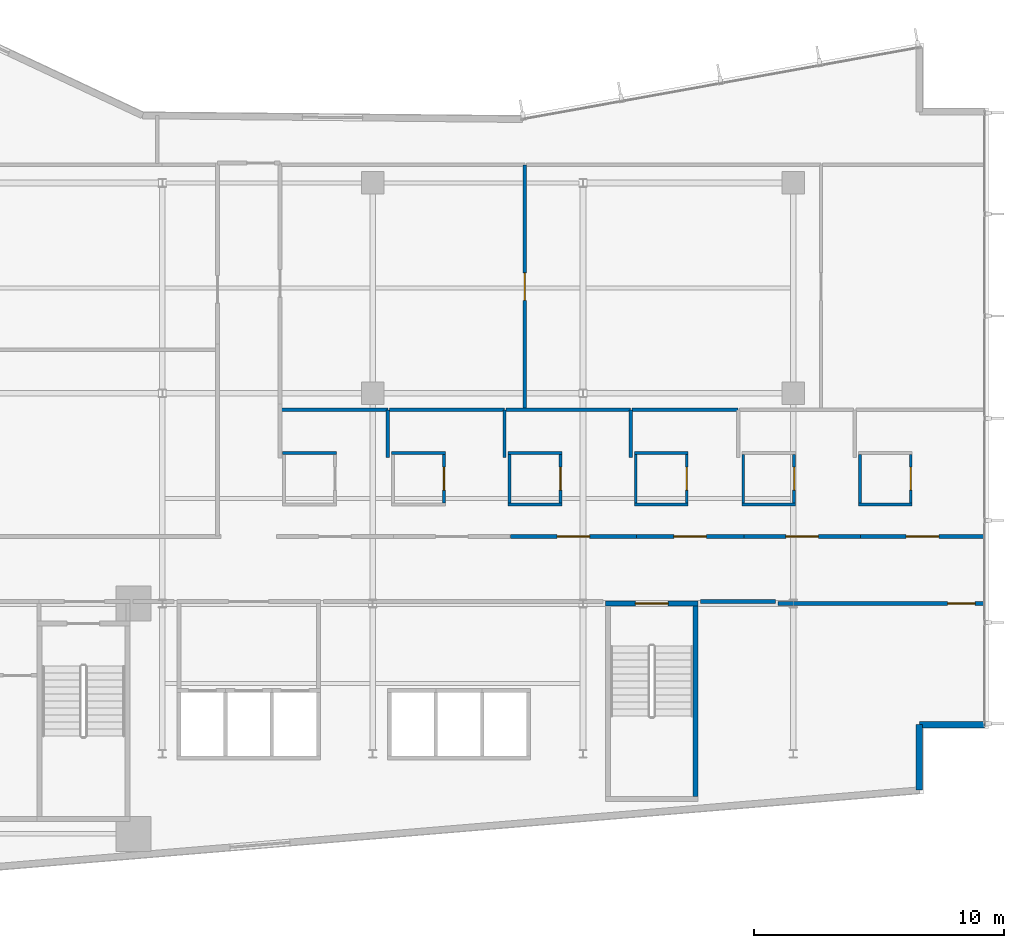
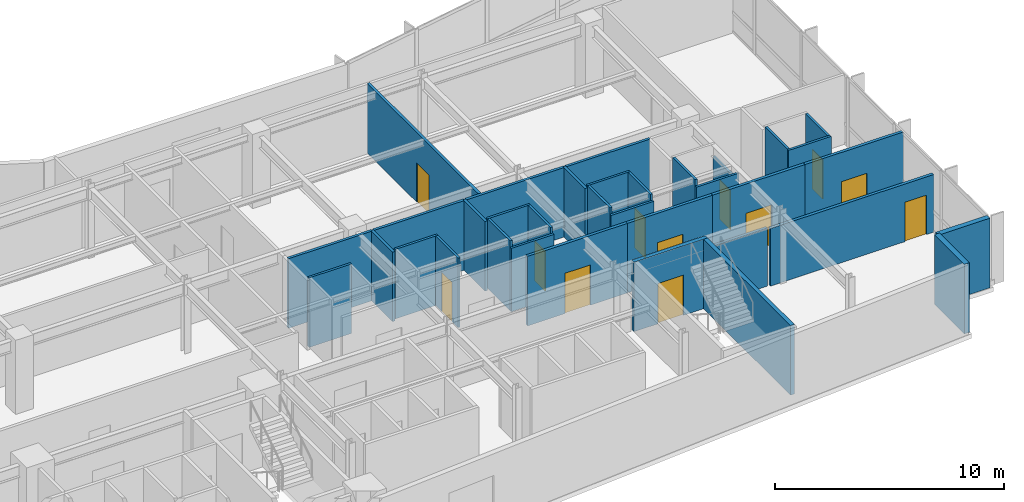
# One storey, part 14 of 19: 35 walls, 12 doors, 12 openings.
"""IFC4 building model written with IfcOpenShell, lengths in metres."""

from ifc_helpers import new_model, si_unit, direction, frame, frame_2d, origin, place, context, subcontext, project, spatial, rectangle, extrude, material, layer, layer_set, type_object, element, fill, save


model = new_model("IFC4")

# Units and contexts
model_context = context("Model", 3, precision=1e-05, world=origin(), true_north=direction((0.0, 1.0)))
body_context = subcontext(model_context, "Body", "Model", "MODEL_VIEW")
ifc_project = project(units=[si_unit("LENGTHUNIT", "METRE"), si_unit("AREAUNIT", "SQUARE_METRE"), si_unit("VOLUMEUNIT", "CUBIC_METRE"), si_unit("PLANEANGLEUNIT", "RADIAN"), si_unit("MASSUNIT", "GRAM", prefix="KILO")], contexts=[model_context])

# Site, building, storey
site_placement = place(None, origin())
site = spatial("IfcSite", under=ifc_project, at=site_placement, CompositionType="ELEMENT")
building_placement = place(site_placement, origin())
building = spatial("IfcBuilding", under=site, at=building_placement, Name="Varnakote Quay Hospital", CompositionType="ELEMENT")
storey_placement = place(building_placement, frame((0.0, 0.0, 85.699951171875)))
storey = spatial("IfcBuildingStorey", under=building, at=storey_placement, Name="L21", CompositionType="ELEMENT", Elevation=85.699951171875)

# Walls
ifc_material_1 = material(Name="Fire-rated acoustic gypsum stud wall", Category="gypsum")
ifc_layer_1 = layer(ifc_material_1, 0.159912109375)
ifc_layer_set_1 = layer_set([ifc_layer_1], Name="Fire-rated acoustic gypsum stud wall")
wall_type_1 = type_object("IfcWallType", Name="WL-COMP-160", PredefinedType="PARTITIONING", material=ifc_layer_set_1)
wall_1_placement = place(storey_placement, frame((46.689208984375, 12.080078125, 0.0), z_axis=(0.0, 0.0, 1.0), x_axis=(1.0, 0.0, 0.0)))
element("IfcWall", 1, at=wall_1_placement, inside=storey, type_object=wall_type_1, Name="L21 Corridor South Gap Wall", PredefinedType="PARTITIONING", context=body_context, shape_type="SweptSolid", body=[
    extrude(rectangle(XDim=3.0107421875, YDim=0.159912109375, at=frame_2d((1.50537109375, 0.0))), origin(), (0.0, 0.0, 1.0), 3.072998046875),
])
ifc_material_2 = material(Name="Moisture-resistant bathroom partition", Category="gypsum")
ifc_layer_2 = layer(ifc_material_2, 0.114990234375)
ifc_layer_set_2 = layer_set([ifc_layer_2], Name="Moisture-resistant bathroom partition")
wall_type_2 = type_object("IfcWallType", Name="WL-ENS-115", PredefinedType="PARTITIONING", material=ifc_layer_set_2)
wall_2_placement = place(storey_placement, frame((30.0048828125, 18.017578125, 0.0), z_axis=(0.0, 0.0, 1.0), x_axis=(1.0, 0.0, 0.0)))
element("IfcWall", 2, at=wall_2_placement, inside=storey, type_object=wall_type_2, Name="L21 Inpatient En-Suite Bathroom 01 N Wall", PredefinedType="PARTITIONING", context=body_context, shape_type="SweptSolid", body=[
    extrude(rectangle(XDim=2.150146484375, YDim=0.114990234375, at=frame_2d((1.0751953125, 0.0))), origin(), (0.0, 0.0, 1.0), 3.7099609375),
])
wall_3_placement = place(storey_placement, frame((34.35498046875, 18.017578125, 0.0), z_axis=(0.0, 0.0, 1.0), x_axis=(1.0, 0.0, 0.0)))
element("IfcWall", 3, at=wall_3_placement, inside=storey, type_object=wall_type_2, Name="L21 Inpatient En-Suite Bathroom 02 N Wall", PredefinedType="PARTITIONING", context=body_context, shape_type="SweptSolid", body=[
    extrude(rectangle(XDim=2.14990234375, YDim=0.114990234375, at=frame_2d((1.074951171875, 0.0))), origin(), (0.0, 0.0, 1.0), 3.7099609375),
])

# Wall, opening, door
wall_4_placement = place(storey_placement, frame((36.447509765625, 16.010009765625, 0.0), z_axis=(0.0, 0.0, 1.0), x_axis=(0.0, 1.0, 0.0)))
wall_4 = element("IfcWall", 4, at=wall_4_placement, inside=storey, type_object=wall_type_2, Name="L21 Inpatient En-Suite Bathroom 02 E Wall", PredefinedType="PARTITIONING", context=body_context, shape_type="SweptSolid", body=[
    extrude(rectangle(XDim=1.949951171875, YDim=0.114990234375, at=frame_2d((0.97509765625, 0.0))), origin(), (0.0, 0.0, 1.0), 3.7099609375),
])
opening_1_placement = place(wall_4_placement, frame((0.514892578125, 0.0, 0.0)))
opening_1 = element("IfcOpeningElement", 5, at=opening_1_placement, cuts=wall_4, Name="Opening D-L21-ENS02", PredefinedType="OPENING", context=body_context, shape_type="SweptSolid", body=[
    extrude(rectangle(XDim=0.919921875, YDim=2.10009765625, at=frame_2d((0.4599609375, 1.050048828125))), frame((0.0, 0.0673828125, 0.0), z_axis=(0.0, -1.0, 0.0), x_axis=(1.0, 0.0, 0.0)), (0.0, 0.0, 1.0), 0.135009765625),
])
ifc_material_3 = material(Name="Moisture-sealed en-suite bathroom door")
door_type_1 = type_object("IfcDoorType", Name="DR-ENS-920x2100", OperationType="NOTDEFINED", PredefinedType="DOOR", material=ifc_material_3)
door_1_placement = place(opening_1_placement, origin())
door_1 = element("IfcDoor", 6, at=door_1_placement, inside=storey, type_object=door_type_1, Name="L21 Inpatient En-Suite Bathroom 02 Door", OperationType="SINGLE_SWING_RIGHT", OverallHeight=2.10009765625, OverallWidth=0.919921875, PredefinedType="DOOR", context=body_context, shape_type="SweptSolid", body=[
    extrude(rectangle(XDim=0.919921875, YDim=2.10009765625, at=frame_2d((0.4599609375, 1.050048828125))), frame((0.0, 0.02490234375, 0.0), z_axis=(0.0, -1.0, 0.0), x_axis=(1.0, 0.0, 0.0)), (0.0, 0.0, 1.0), 0.050048828125),
])
fill(opening_1, door_1)

# Walls
wall_5_placement = place(storey_placement, frame((39.014892578125, 15.952392578125, 0.0), z_axis=(0.0, 0.0, 1.0), x_axis=(1.0, 0.0, 0.0)))
element("IfcWall", 7, at=wall_5_placement, inside=storey, type_object=wall_type_2, Name="L21 Inpatient En-Suite Bathroom 03 S Wall", PredefinedType="PARTITIONING", context=body_context, shape_type="SweptSolid", body=[
    extrude(rectangle(XDim=2.150146484375, YDim=0.114990234375, at=frame_2d((1.0751953125, 0.0))), origin(), (0.0, 0.0, 1.0), 3.3779296875),
])
wall_6_placement = place(storey_placement, frame((39.014892578125, 18.017578125, 0.0), z_axis=(0.0, 0.0, 1.0), x_axis=(1.0, 0.0, 0.0)))
element("IfcWall", 8, at=wall_6_placement, inside=storey, type_object=wall_type_2, Name="L21 Inpatient En-Suite Bathroom 03 N Wall", PredefinedType="PARTITIONING", context=body_context, shape_type="SweptSolid", body=[
    extrude(rectangle(XDim=2.150146484375, YDim=0.114990234375, at=frame_2d((1.0751953125, 0.0))), origin(), (0.0, 0.0, 1.0), 3.7099609375),
])
wall_7_placement = place(storey_placement, frame((39.072509765625, 16.010009765625, 0.0), z_axis=(0.0, 0.0, 1.0), x_axis=(0.0, 1.0, 0.0)))
element("IfcWall", 9, at=wall_7_placement, inside=storey, type_object=wall_type_2, Name="L21 Inpatient En-Suite Bathroom 03 W Wall", PredefinedType="PARTITIONING", context=body_context, shape_type="SweptSolid", body=[
    extrude(rectangle(XDim=1.949951171875, YDim=0.114990234375, at=frame_2d((0.97509765625, 0.0))), origin(), (0.0, 0.0, 1.0), 3.7099609375),
])

# Wall, opening, door
wall_8_placement = place(storey_placement, frame((41.107421875, 16.010009765625, 0.0), z_axis=(0.0, 0.0, 1.0), x_axis=(0.0, 1.0, 0.0)))
wall_8 = element("IfcWall", 10, at=wall_8_placement, inside=storey, type_object=wall_type_2, Name="L21 Inpatient En-Suite Bathroom 03 E Wall", PredefinedType="PARTITIONING", context=body_context, shape_type="SweptSolid", body=[
    extrude(rectangle(XDim=1.949951171875, YDim=0.114990234375, at=frame_2d((0.97509765625, 0.0))), origin(), (0.0, 0.0, 1.0), 3.7099609375),
])
opening_2_placement = place(wall_8_placement, frame((0.514892578125, 0.0, 0.0)))
opening_2 = element("IfcOpeningElement", 11, at=opening_2_placement, cuts=wall_8, Name="Opening D-L21-ENS03", PredefinedType="OPENING", context=body_context, shape_type="SweptSolid", body=[
    extrude(rectangle(XDim=0.919921875, YDim=2.10009765625, at=frame_2d((0.4599609375, 1.050048828125))), frame((0.0, 0.0673828125, 0.0), z_axis=(0.0, -1.0, 0.0), x_axis=(1.0, 0.0, 0.0)), (0.0, 0.0, 1.0), 0.135009765625),
])
door_2_placement = place(opening_2_placement, origin())
door_2 = element("IfcDoor", 12, at=door_2_placement, inside=storey, type_object=door_type_1, Name="L21 Inpatient En-Suite Bathroom 03 Door", OperationType="SINGLE_SWING_LEFT", OverallHeight=2.10009765625, OverallWidth=0.919921875, PredefinedType="DOOR", context=body_context, shape_type="SweptSolid", body=[
    extrude(rectangle(XDim=0.919921875, YDim=2.10009765625, at=frame_2d((0.4599609375, 1.050048828125))), frame((0.0, 0.02490234375, 0.0), z_axis=(0.0, -1.0, 0.0), x_axis=(1.0, 0.0, 0.0)), (0.0, 0.0, 1.0), 0.050048828125),
])
fill(opening_2, door_2)

# Walls
wall_9_placement = place(storey_placement, frame((44.054931640625, 15.952392578125, 0.0), z_axis=(0.0, 0.0, 1.0), x_axis=(1.0, 0.0, 0.0)))
element("IfcWall", 13, at=wall_9_placement, inside=storey, type_object=wall_type_2, Name="L21 Inpatient En-Suite Bathroom 04 S Wall", PredefinedType="PARTITIONING", context=body_context, shape_type="SweptSolid", body=[
    extrude(rectangle(XDim=2.150146484375, YDim=0.114990234375, at=frame_2d((1.0751953125, 0.0))), origin(), (0.0, 0.0, 1.0), 3.3779296875),
])
wall_10_placement = place(storey_placement, frame((44.054931640625, 18.017578125, 0.0), z_axis=(0.0, 0.0, 1.0), x_axis=(1.0, 0.0, 0.0)))
element("IfcWall", 14, at=wall_10_placement, inside=storey, type_object=wall_type_2, Name="L21 Inpatient En-Suite Bathroom 04 N Wall", PredefinedType="PARTITIONING", context=body_context, shape_type="SweptSolid", body=[
    extrude(rectangle(XDim=2.150146484375, YDim=0.114990234375, at=frame_2d((1.0751953125, 0.0))), origin(), (0.0, 0.0, 1.0), 3.7099609375),
])
wall_11_placement = place(storey_placement, frame((44.112548828125, 16.010009765625, 0.0), z_axis=(0.0, 0.0, 1.0), x_axis=(0.0, 1.0, 0.0)))
element("IfcWall", 15, at=wall_11_placement, inside=storey, type_object=wall_type_2, Name="L21 Inpatient En-Suite Bathroom 04 W Wall", PredefinedType="PARTITIONING", context=body_context, shape_type="SweptSolid", body=[
    extrude(rectangle(XDim=1.949951171875, YDim=0.114990234375, at=frame_2d((0.97509765625, 0.0))), origin(), (0.0, 0.0, 1.0), 3.7099609375),
])

# Wall, opening, door
wall_12_placement = place(storey_placement, frame((46.1474609375, 16.010009765625, 0.0), z_axis=(0.0, 0.0, 1.0), x_axis=(0.0, 1.0, 0.0)))
wall_12 = element("IfcWall", 16, at=wall_12_placement, inside=storey, type_object=wall_type_2, Name="L21 Inpatient En-Suite Bathroom 04 E Wall", PredefinedType="PARTITIONING", context=body_context, shape_type="SweptSolid", body=[
    extrude(rectangle(XDim=1.949951171875, YDim=0.114990234375, at=frame_2d((0.97509765625, 0.0))), origin(), (0.0, 0.0, 1.0), 3.7099609375),
])
opening_3_placement = place(wall_12_placement, frame((0.514892578125, 0.0, 0.0)))
opening_3 = element("IfcOpeningElement", 17, at=opening_3_placement, cuts=wall_12, Name="Opening D-L21-ENS04", PredefinedType="OPENING", context=body_context, shape_type="SweptSolid", body=[
    extrude(rectangle(XDim=0.919921875, YDim=2.10009765625, at=frame_2d((0.4599609375, 1.050048828125))), frame((0.0, 0.0673828125, 0.0), z_axis=(0.0, -1.0, 0.0), x_axis=(1.0, 0.0, 0.0)), (0.0, 0.0, 1.0), 0.135009765625),
])
door_3_placement = place(opening_3_placement, origin())
door_3 = element("IfcDoor", 18, at=door_3_placement, inside=storey, type_object=door_type_1, Name="L21 Inpatient En-Suite Bathroom 04 Door", OperationType="SINGLE_SWING_RIGHT", OverallHeight=2.10009765625, OverallWidth=0.919921875, PredefinedType="DOOR", context=body_context, shape_type="SweptSolid", body=[
    extrude(rectangle(XDim=0.919921875, YDim=2.10009765625, at=frame_2d((0.4599609375, 1.050048828125))), frame((0.0, 0.02490234375, 0.0), z_axis=(0.0, -1.0, 0.0), x_axis=(1.0, 0.0, 0.0)), (0.0, 0.0, 1.0), 0.050048828125),
])
fill(opening_3, door_3)

# Walls
wall_13_placement = place(storey_placement, frame((48.344970703125, 15.952392578125, 0.0), z_axis=(0.0, 0.0, 1.0), x_axis=(1.0, 0.0, 0.0)))
element("IfcWall", 19, at=wall_13_placement, inside=storey, type_object=wall_type_2, Name="L21 Inpatient En-Suite Bathroom 05 S Wall", PredefinedType="PARTITIONING", context=body_context, shape_type="SweptSolid", body=[
    extrude(rectangle(XDim=2.150146484375, YDim=0.114990234375, at=frame_2d((1.0751953125, 0.0))), origin(), (0.0, 0.0, 1.0), 3.3779296875),
])
wall_14_placement = place(storey_placement, frame((48.402587890625, 16.010009765625, 0.0), z_axis=(0.0, 0.0, 1.0), x_axis=(0.0, 1.0, 0.0)))
element("IfcWall", 20, at=wall_14_placement, inside=storey, type_object=wall_type_2, Name="L21 Inpatient En-Suite Bathroom 05 W Wall", PredefinedType="PARTITIONING", context=body_context, shape_type="SweptSolid", body=[
    extrude(rectangle(XDim=1.949951171875, YDim=0.114990234375, at=frame_2d((0.97509765625, 0.0))), origin(), (0.0, 0.0, 1.0), 3.7099609375),
])

# Wall, opening, door
wall_15_placement = place(storey_placement, frame((50.4375, 16.010009765625, 0.0), z_axis=(0.0, 0.0, 1.0), x_axis=(0.0, 1.0, 0.0)))
wall_15 = element("IfcWall", 21, at=wall_15_placement, inside=storey, type_object=wall_type_2, Name="L21 Inpatient En-Suite Bathroom 05 E Wall", PredefinedType="PARTITIONING", context=body_context, shape_type="SweptSolid", body=[
    extrude(rectangle(XDim=1.949951171875, YDim=0.114990234375, at=frame_2d((0.97509765625, 0.0))), origin(), (0.0, 0.0, 1.0), 3.072998046875),
])
opening_4_placement = place(wall_15_placement, frame((0.514892578125, 0.0, 0.0)))
opening_4 = element("IfcOpeningElement", 22, at=opening_4_placement, cuts=wall_15, Name="Opening D-L21-ENS05", PredefinedType="OPENING", context=body_context, shape_type="SweptSolid", body=[
    extrude(rectangle(XDim=0.919921875, YDim=2.10009765625, at=frame_2d((0.4599609375, 1.050048828125))), frame((0.0, 0.0673828125, 0.0), z_axis=(0.0, -1.0, 0.0), x_axis=(1.0, 0.0, 0.0)), (0.0, 0.0, 1.0), 0.135009765625),
])
door_4_placement = place(opening_4_placement, origin())
door_4 = element("IfcDoor", 23, at=door_4_placement, inside=storey, type_object=door_type_1, Name="L21 Inpatient En-Suite Bathroom 05 Door", OperationType="SINGLE_SWING_LEFT", OverallHeight=2.10009765625, OverallWidth=0.919921875, PredefinedType="DOOR", context=body_context, shape_type="SweptSolid", body=[
    extrude(rectangle(XDim=0.919921875, YDim=2.10009765625, at=frame_2d((0.4599609375, 1.050048828125))), frame((0.0, 0.02490234375, 0.0), z_axis=(0.0, -1.0, 0.0), x_axis=(1.0, 0.0, 0.0)), (0.0, 0.0, 1.0), 0.050048828125),
])
fill(opening_4, door_4)

# Walls
wall_16_placement = place(storey_placement, frame((53.0048828125, 15.952392578125, 0.0), z_axis=(0.0, 0.0, 1.0), x_axis=(1.0, 0.0, 0.0)))
element("IfcWall", 24, at=wall_16_placement, inside=storey, type_object=wall_type_2, Name="L21 Inpatient En-Suite Bathroom 06 S Wall", PredefinedType="PARTITIONING", context=body_context, shape_type="SweptSolid", body=[
    extrude(rectangle(XDim=2.150146484375, YDim=0.114990234375, at=frame_2d((1.0751953125, 0.0))), origin(), (0.0, 0.0, 1.0), 3.7099609375),
])
wall_17_placement = place(storey_placement, frame((53.0625, 16.010009765625, 0.0), z_axis=(0.0, 0.0, 1.0), x_axis=(0.0, 1.0, 0.0)))
element("IfcWall", 25, at=wall_17_placement, inside=storey, type_object=wall_type_2, Name="L21 Inpatient En-Suite Bathroom 06 W Wall", PredefinedType="PARTITIONING", context=body_context, shape_type="SweptSolid", body=[
    extrude(rectangle(XDim=1.949951171875, YDim=0.114990234375, at=frame_2d((0.97509765625, 0.0))), origin(), (0.0, 0.0, 1.0), 3.7099609375),
])

# Wall, opening, door
wall_18_placement = place(storey_placement, frame((55.097412109375, 16.010009765625, 0.0), z_axis=(0.0, 0.0, 1.0), x_axis=(0.0, 1.0, 0.0)))
wall_18 = element("IfcWall", 26, at=wall_18_placement, inside=storey, type_object=wall_type_2, Name="L21 Inpatient En-Suite Bathroom 06 E Wall", PredefinedType="PARTITIONING", context=body_context, shape_type="SweptSolid", body=[
    extrude(rectangle(XDim=1.949951171875, YDim=0.114990234375, at=frame_2d((0.97509765625, 0.0))), origin(), (0.0, 0.0, 1.0), 3.7099609375),
])
opening_5_placement = place(wall_18_placement, frame((0.514892578125, 0.0, 0.0)))
opening_5 = element("IfcOpeningElement", 27, at=opening_5_placement, cuts=wall_18, Name="Opening D-L21-ENS06", PredefinedType="OPENING", context=body_context, shape_type="SweptSolid", body=[
    extrude(rectangle(XDim=0.919921875, YDim=2.10009765625, at=frame_2d((0.4599609375, 1.050048828125))), frame((0.0, 0.0673828125, 0.0), z_axis=(0.0, -1.0, 0.0), x_axis=(1.0, 0.0, 0.0)), (0.0, 0.0, 1.0), 0.135009765625),
])
door_5_placement = place(opening_5_placement, origin())
door_5 = element("IfcDoor", 28, at=door_5_placement, inside=storey, type_object=door_type_1, Name="L21 Inpatient En-Suite Bathroom 06 Door", OperationType="SINGLE_SWING_RIGHT", OverallHeight=2.10009765625, OverallWidth=0.919921875, PredefinedType="DOOR", context=body_context, shape_type="SweptSolid", body=[
    extrude(rectangle(XDim=0.919921875, YDim=2.10009765625, at=frame_2d((0.4599609375, 1.050048828125))), frame((0.0, 0.02490234375, 0.0), z_axis=(0.0, -1.0, 0.0), x_axis=(1.0, 0.0, 0.0)), (0.0, 0.0, 1.0), 0.050048828125),
])
fill(opening_5, door_5)

# Walls
ifc_material_4 = material(Name="Precast concrete N50 (f'c 50 MPa)", Category="concrete")
ifc_layer_3 = layer(ifc_material_4, 0.260009765625)
ifc_layer_set_3 = layer_set([ifc_layer_3], Name="Precast concrete N50 (f'c 50 MPa)")
wall_type_3 = type_object("IfcWallType", Name="WL-EXT-BRICK-260", PredefinedType="STANDARD", material=ifc_layer_set_3)
wall_19_placement = place(storey_placement, frame((55.43994140625, 4.54736328125, 0.0), z_axis=(0.0, 0.0, 1.0), x_axis=(0.0, 1.0, 0.0)))
element("IfcWall", 29, at=wall_19_placement, inside=storey, type_object=wall_type_3, Name="L21 Brick-Faced Precast Exterior Wall", PredefinedType="STANDARD", context=body_context, shape_type="SweptSolid", body=[
    extrude(rectangle(XDim=2.612548828125, YDim=0.260009765625, at=frame_2d((1.30615234375, 0.0))), origin(), (0.0, 0.0, 1.0), 3.7099609375),
])
wall_20_placement = place(storey_placement, frame((55.43994140625, 7.159912109375, 0.0), z_axis=(0.0, 0.0, 1.0), x_axis=(1.0, 0.0, 0.0)))
element("IfcWall", 30, at=wall_20_placement, inside=storey, type_object=wall_type_3, Name="L21 Brick-Faced Precast Exterior Wall", PredefinedType="STANDARD", context=body_context, shape_type="SweptSolid", body=[
    extrude(rectangle(XDim=2.60009765625, YDim=0.260009765625, at=frame_2d((1.300048828125, 0.0))), origin(), (0.0, 0.0, 1.0), 3.7099609375),
])
ifc_material_5 = material(Name="Concrete N50 (f'c 50 MPa)", Category="concrete")
ifc_layer_4 = layer(ifc_material_5, 0.199951171875)
ifc_layer_set_4 = layer_set([ifc_layer_4], Name="Concrete N50 (f'c 50 MPa)")
wall_type_4 = type_object("IfcWallType", Name="WL-SHAFT-N50-200", PredefinedType="SHEAR", material=ifc_layer_set_4)
wall_21_placement = place(storey_placement, frame((46.5, 4.300048828125, 0.0), z_axis=(0.0, 0.0, 1.0), x_axis=(0.0, 1.0, 0.0)))
element("IfcWall", 31, at=wall_21_placement, inside=storey, type_object=wall_type_4, Name="L21 Stair ST3 East Shaft Wall", PredefinedType="SHEAR", context=body_context, shape_type="SweptSolid", body=[
    extrude(rectangle(XDim=7.599853515625, YDim=0.199951171875, at=frame_2d((3.7998046875, 0.0))), origin(), (0.0, 0.0, 1.0), 3.7099609375),
])

# Wall, opening, door
wall_22_placement = place(storey_placement, frame((42.89990234375, 12.0, 0.0), z_axis=(0.0, 0.0, 1.0), x_axis=(1.0, 0.0, 0.0)))
wall_22 = element("IfcWall", 32, at=wall_22_placement, inside=storey, type_object=wall_type_4, Name="L21 Stair ST3 Exit Wall", PredefinedType="SHEAR", context=body_context, shape_type="SweptSolid", body=[
    extrude(rectangle(XDim=3.7001953125, YDim=0.199951171875, at=frame_2d((1.85009765625, 0.0))), origin(), (0.0, 0.0, 1.0), 3.7099609375),
])
opening_6_placement = place(wall_22_placement, frame((1.199951171875, 0.0, 0.0)))
opening_6 = element("IfcOpeningElement", 33, at=opening_6_placement, cuts=wall_22, Name="Opening D-ST3-L21", PredefinedType="OPENING", context=body_context, shape_type="SweptSolid", body=[
    extrude(rectangle(XDim=1.300048828125, YDim=2.14990234375, at=frame_2d((0.64990234375, 1.074951171875))), frame((0.0, 0.10986328125, 0.0), z_axis=(0.0, -1.0, 0.0), x_axis=(1.0, 0.0, 0.0)), (0.0, 0.0, 1.0), 0.219970703125),
])
ifc_material_6 = material(Name="Fire-rated ceramic-glazed timber exit door", Category="wood")
door_type_2 = type_object("IfcDoorType", Name="DR-STAIR-FD60S-1300x2150", OperationType="NOTDEFINED", PredefinedType="DOOR", material=ifc_material_6)
door_6_placement = place(opening_6_placement, origin())
door_6 = element("IfcDoor", 34, at=door_6_placement, inside=storey, type_object=door_type_2, Name="L21 Stair ST3 Fire Exit Door", OperationType="SINGLE_SWING_LEFT", OverallHeight=2.14990234375, OverallWidth=1.300048828125, PredefinedType="DOOR", context=body_context, shape_type="SweptSolid", body=[
    extrude(rectangle(XDim=1.300048828125, YDim=2.14990234375, at=frame_2d((0.64990234375, 1.074951171875))), frame((0.0, 0.02490234375, 0.0), z_axis=(0.0, -1.0, 0.0), x_axis=(1.0, 0.0, 0.0)), (0.0, 0.0, 1.0), 0.050048828125),
])
fill(opening_6, door_6)

# Walls
ifc_material_7 = material(Name="Smoke-proof clinical partition", Category="gypsum")
ifc_layer_5 = layer(ifc_material_7, 0.135009765625)
ifc_layer_set_5 = layer_set([ifc_layer_5], Name="Smoke-proof clinical partition")
wall_type_5 = type_object("IfcWallType", Name="WL-SMOKE-135", PredefinedType="PARTITIONING", material=ifc_layer_set_5)
wall_23_placement = place(storey_placement, frame((34.2099609375, 17.83251953125, 0.0), z_axis=(0.0, 0.0, 1.0), x_axis=(0.0, 1.0, 0.0)))
element("IfcWall", 35, at=wall_23_placement, inside=storey, type_object=wall_type_5, Name="L21 Clinical Interior Partition", PredefinedType="PARTITIONING", context=body_context, shape_type="SweptSolid", body=[
    extrude(rectangle(XDim=1.907470703125, YDim=0.135009765625, at=frame_2d((0.95361328125, 0.0))), origin(), (0.0, 0.0, 1.0), 3.7099609375),
])
wall_24_placement = place(storey_placement, frame((34.2099609375, 19.739990234375, 0.0), z_axis=(0.0, 0.0, 1.0), x_axis=(-1.0, 0.0, 0.0)))
element("IfcWall", 36, at=wall_24_placement, inside=storey, type_object=wall_type_5, Name="L21 Clinical Interior Partition", PredefinedType="PARTITIONING", context=body_context, shape_type="SweptSolid", body=[
    extrude(rectangle(XDim=4.244873046875, YDim=0.135009765625, at=frame_2d((2.12255859375, 0.0))), origin(), (0.0, 0.0, 1.0), 3.7099609375),
])
wall_25_placement = place(storey_placement, frame((38.8701171875, 17.83251953125, 0.0), z_axis=(0.0, 0.0, 1.0), x_axis=(0.0, 1.0, 0.0)))
element("IfcWall", 37, at=wall_25_placement, inside=storey, type_object=wall_type_5, Name="L21 Clinical Interior Partition", PredefinedType="PARTITIONING", context=body_context, shape_type="SweptSolid", body=[
    extrude(rectangle(XDim=1.907470703125, YDim=0.135009765625, at=frame_2d((0.95361328125, 0.0))), origin(), (0.0, 0.0, 1.0), 3.7099609375),
])
wall_26_placement = place(storey_placement, frame((38.8701171875, 19.739990234375, 0.0), z_axis=(0.0, 0.0, 1.0), x_axis=(-1.0, 0.0, 0.0)))
element("IfcWall", 38, at=wall_26_placement, inside=storey, type_object=wall_type_5, Name="L21 Clinical Interior Partition", PredefinedType="PARTITIONING", context=body_context, shape_type="SweptSolid", body=[
    extrude(rectangle(XDim=4.6025390625, YDim=0.135009765625, at=frame_2d((2.30126953125, 0.0))), origin(), (0.0, 0.0, 1.0), 3.7099609375),
])
wall_27_placement = place(storey_placement, frame((43.909912109375, 17.83251953125, 0.0), z_axis=(0.0, 0.0, 1.0), x_axis=(0.0, 1.0, 0.0)))
element("IfcWall", 39, at=wall_27_placement, inside=storey, type_object=wall_type_5, Name="L21 Clinical Interior Partition", PredefinedType="PARTITIONING", context=body_context, shape_type="SweptSolid", body=[
    extrude(rectangle(XDim=1.907470703125, YDim=0.135009765625, at=frame_2d((0.95361328125, 0.0))), origin(), (0.0, 0.0, 1.0), 3.7099609375),
])
wall_28_placement = place(storey_placement, frame((43.909912109375, 19.739990234375, 0.0), z_axis=(0.0, 0.0, 1.0), x_axis=(-1.0, 0.0, 0.0)))
element("IfcWall", 40, at=wall_28_placement, inside=storey, type_object=wall_type_5, Name="L21 Clinical Interior Partition", PredefinedType="PARTITIONING", context=body_context, shape_type="SweptSolid", body=[
    extrude(rectangle(XDim=4.982421875, YDim=0.135009765625, at=frame_2d((2.4912109375, 0.0))), origin(), (0.0, 0.0, 1.0), 3.7099609375),
])
wall_29_placement = place(storey_placement, frame((48.199951171875, 19.739990234375, 0.0), z_axis=(0.0, 0.0, 1.0), x_axis=(-1.0, 0.0, 0.0)))
element("IfcWall", 41, at=wall_29_placement, inside=storey, type_object=wall_type_5, Name="L21 Clinical Interior Partition", PredefinedType="PARTITIONING", context=body_context, shape_type="SweptSolid", body=[
    extrude(rectangle(XDim=4.232421875, YDim=0.135009765625, at=frame_2d((2.1162109375, 0.0))), origin(), (0.0, 0.0, 1.0), 3.7099609375),
])

# Wall, opening, door
wall_30_placement = place(storey_placement, frame((39.679931640625, 19.797607421875, 0.0), z_axis=(0.0, 0.0, 1.0), x_axis=(0.0, 1.0, 0.0)))
wall_30 = element("IfcWall", 42, at=wall_30_placement, inside=storey, type_object=wall_type_5, Name="L21 Clinical Interior Partition", PredefinedType="PARTITIONING", context=body_context, shape_type="SweptSolid", body=[
    extrude(rectangle(XDim=9.722412109375, YDim=0.135009765625, at=frame_2d((4.861328125, 0.0))), origin(), (0.0, 0.0, 1.0), 3.7099609375),
])
opening_7_placement = place(wall_30_placement, frame((4.311279296875, 0.0, 0.0)))
opening_7 = element("IfcOpeningElement", 43, at=opening_7_placement, cuts=wall_30, Name="Opening D-L21-MD04", PredefinedType="OPENING", context=body_context, shape_type="SweptSolid", body=[
    extrude(rectangle(XDim=1.10009765625, YDim=2.10009765625, at=frame_2d((0.550048828125, 1.050048828125))), frame((0.0, 0.077392578125, 0.0), z_axis=(0.0, -1.0, 0.0), x_axis=(1.0, 0.0, 0.0)), (0.0, 0.0, 1.0), 0.155029296875),
])
ifc_material_8 = material(Name="Acoustic timber clinical consult door", Category="wood")
door_type_3 = type_object("IfcDoorType", Name="DR-CLIN-FD30S-1100x2100", OperationType="NOTDEFINED", PredefinedType="DOOR", material=ifc_material_8)
door_7_placement = place(opening_7_placement, origin())
door_7 = element("IfcDoor", 44, at=door_7_placement, inside=storey, type_object=door_type_3, Name="L21 Allied Therapy Meeting Room Door", OperationType="SINGLE_SWING_LEFT", OverallHeight=2.10009765625, OverallWidth=1.10009765625, PredefinedType="DOOR", context=body_context, shape_type="SweptSolid", body=[
    extrude(rectangle(XDim=1.10009765625, YDim=2.10009765625, at=frame_2d((0.550048828125, 1.050048828125))), frame((0.0, 0.02490234375, 0.0), z_axis=(0.0, -1.0, 0.0), x_axis=(1.0, 0.0, 0.0)), (0.0, 0.0, 1.0), 0.050048828125),
])
fill(opening_7, door_7)

ifc_material_9 = material(Name="Fire-rated clinical gypsum partition", Category="gypsum")
ifc_layer_6 = layer(ifc_material_9, 0.14990234375)
ifc_layer_set_6 = layer_set([ifc_layer_6], Name="Fire-rated clinical gypsum partition")
wall_type_6 = type_object("IfcWallType", Name="WL-WARD-150", PredefinedType="PARTITIONING", material=ifc_layer_set_6)
wall_31_placement = place(storey_placement, frame((58.0400390625, 12.0, 0.0), z_axis=(0.0, 0.0, 1.0), x_axis=(-1.0, 0.0, 0.0)))
wall_31 = element("IfcWall", 45, at=wall_31_placement, inside=storey, type_object=wall_type_6, Name="L21 Clinical Interior Partition", PredefinedType="PARTITIONING", context=body_context, shape_type="SweptSolid", body=[
    extrude(rectangle(XDim=8.239990234375, YDim=0.14990234375, at=frame_2d((4.1201171875, 0.0))), origin(), (0.0, 0.0, 1.0), 3.072998046875),
])
opening_8_placement = place(wall_31_placement, frame((0.368408203125, 0.0, 0.0)))
opening_8 = element("IfcOpeningElement", 46, at=opening_8_placement, cuts=wall_31, Name="Opening D-L21-SE1", PredefinedType="OPENING", context=body_context, shape_type="SweptSolid", body=[
    extrude(rectangle(XDim=1.10009765625, YDim=2.10009765625, at=frame_2d((0.550048828125, 1.050048828125))), frame((0.0, 0.0849609375, 0.0), z_axis=(0.0, -1.0, 0.0), x_axis=(1.0, 0.0, 0.0)), (0.0, 0.0, 1.0), 0.169921875),
])
door_8_placement = place(opening_8_placement, origin())
door_8 = element("IfcDoor", 47, at=door_8_placement, inside=storey, type_object=door_type_3, Name="L21 Clinical Biomedical Engineering Office Door", OperationType="SINGLE_SWING_LEFT", OverallHeight=2.10009765625, OverallWidth=1.10009765625, PredefinedType="DOOR", context=body_context, shape_type="SweptSolid", body=[
    extrude(rectangle(XDim=1.10009765625, YDim=2.10009765625, at=frame_2d((0.550048828125, 1.050048828125))), frame((0.0, 0.02490234375, 0.0), z_axis=(0.0, -1.0, 0.0), x_axis=(1.0, 0.0, 0.0)), (0.0, 0.0, 1.0), 0.050048828125),
])
fill(opening_8, door_8)

wall_32_placement = place(storey_placement, frame((44.135986328125, 14.679931640625, 0.0), z_axis=(0.0, 0.0, 1.0), x_axis=(-1.0, 0.0, 0.0)))
wall_32 = element("IfcWall", 48, at=wall_32_placement, inside=storey, type_object=wall_type_6, Name="L21 Clinical Interior Partition", PredefinedType="PARTITIONING", context=body_context, shape_type="SweptSolid", body=[
    extrude(rectangle(XDim=5.0380859375, YDim=0.14990234375, at=frame_2d((2.51904296875, 0.0))), origin(), (0.0, 0.0, 1.0), 3.7099609375),
])
opening_9_placement = place(wall_32_placement, frame((1.868896484375, 0.0, 0.0)))
opening_9 = element("IfcOpeningElement", 49, at=opening_9_placement, cuts=wall_32, Name="Opening D-L21-BR03", PredefinedType="OPENING", context=body_context, shape_type="SweptSolid", body=[
    extrude(rectangle(XDim=1.300048828125, YDim=2.14990234375, at=frame_2d((0.64990234375, 1.074951171875))), frame((0.0, 0.0849609375, 0.0), z_axis=(0.0, -1.0, 0.0), x_axis=(1.0, 0.0, 0.0)), (0.0, 0.0, 1.0), 0.169921875),
])
ifc_material_10 = material(Name="Solid-core timber clinical bed door", Category="wood")
door_type_4 = type_object("IfcDoorType", Name="DR-WARD-FD30S-1300x2150", OperationType="NOTDEFINED", PredefinedType="DOOR", material=ifc_material_10)
door_9_placement = place(opening_9_placement, origin())
door_9 = element("IfcDoor", 50, at=door_9_placement, inside=storey, type_object=door_type_4, Name="L21 Resident Care Bedroom 03 Door", OperationType="SINGLE_SWING_RIGHT", OverallHeight=2.14990234375, OverallWidth=1.300048828125, PredefinedType="DOOR", context=body_context, shape_type="SweptSolid", body=[
    extrude(rectangle(XDim=1.300048828125, YDim=2.14990234375, at=frame_2d((0.64990234375, 1.074951171875))), frame((0.0, 0.02490234375, 0.0), z_axis=(0.0, -1.0, 0.0), x_axis=(1.0, 0.0, 0.0)), (0.0, 0.0, 1.0), 0.050048828125),
])
fill(opening_9, door_9)

wall_33_placement = place(storey_placement, frame((48.426025390625, 14.679931640625, 0.0), z_axis=(0.0, 0.0, 1.0), x_axis=(-1.0, 0.0, 0.0)))
wall_33 = element("IfcWall", 51, at=wall_33_placement, inside=storey, type_object=wall_type_6, Name="L21 Clinical Interior Partition", PredefinedType="PARTITIONING", context=body_context, shape_type="SweptSolid", body=[
    extrude(rectangle(XDim=4.2880859375, YDim=0.14990234375, at=frame_2d((2.14404296875, 0.0))), origin(), (0.0, 0.0, 1.0), 3.7099609375),
])
opening_10_placement = place(wall_33_placement, frame((1.493896484375, 0.0, 0.0)))
opening_10 = element("IfcOpeningElement", 52, at=opening_10_placement, cuts=wall_33, Name="Opening D-L21-BR04", PredefinedType="OPENING", context=body_context, shape_type="SweptSolid", body=[
    extrude(rectangle(XDim=1.300048828125, YDim=2.14990234375, at=frame_2d((0.64990234375, 1.074951171875))), frame((0.0, 0.0849609375, 0.0), z_axis=(0.0, -1.0, 0.0), x_axis=(1.0, 0.0, 0.0)), (0.0, 0.0, 1.0), 0.169921875),
])
door_10_placement = place(opening_10_placement, origin())
door_10 = element("IfcDoor", 53, at=door_10_placement, inside=storey, type_object=door_type_4, Name="L21 Resident Care Bedroom 04 Door", OperationType="SINGLE_SWING_LEFT", OverallHeight=2.14990234375, OverallWidth=1.300048828125, PredefinedType="DOOR", context=body_context, shape_type="SweptSolid", body=[
    extrude(rectangle(XDim=1.300048828125, YDim=2.14990234375, at=frame_2d((0.64990234375, 1.074951171875))), frame((0.0, 0.02490234375, 0.0), z_axis=(0.0, -1.0, 0.0), x_axis=(1.0, 0.0, 0.0)), (0.0, 0.0, 1.0), 0.050048828125),
])
fill(opening_10, door_10)

wall_34_placement = place(storey_placement, frame((53.0859375, 14.679931640625, 0.0), z_axis=(0.0, 0.0, 1.0), x_axis=(-1.0, 0.0, 0.0)))
wall_34 = element("IfcWall", 54, at=wall_34_placement, inside=storey, type_object=wall_type_6, Name="L21 Clinical Interior Partition", PredefinedType="PARTITIONING", context=body_context, shape_type="SweptSolid", body=[
    extrude(rectangle(XDim=4.657958984375, YDim=0.14990234375, at=frame_2d((2.3291015625, 0.0))), origin(), (0.0, 0.0, 1.0), 3.7099609375),
])
opening_11_placement = place(wall_34_placement, frame((1.678955078125, 0.0, 0.0)))
opening_11 = element("IfcOpeningElement", 55, at=opening_11_placement, cuts=wall_34, Name="Opening D-L21-BR05", PredefinedType="OPENING", context=body_context, shape_type="SweptSolid", body=[
    extrude(rectangle(XDim=1.300048828125, YDim=2.14990234375, at=frame_2d((0.64990234375, 1.074951171875))), frame((0.0, 0.0849609375, 0.0), z_axis=(0.0, -1.0, 0.0), x_axis=(1.0, 0.0, 0.0)), (0.0, 0.0, 1.0), 0.169921875),
])
door_11_placement = place(opening_11_placement, origin())
door_11 = element("IfcDoor", 56, at=door_11_placement, inside=storey, type_object=door_type_4, Name="L21 Resident Care Bedroom 05 Door", OperationType="SINGLE_SWING_RIGHT", OverallHeight=2.14990234375, OverallWidth=1.300048828125, PredefinedType="DOOR", context=body_context, shape_type="SweptSolid", body=[
    extrude(rectangle(XDim=1.300048828125, YDim=2.14990234375, at=frame_2d((0.64990234375, 1.074951171875))), frame((0.0, 0.02490234375, 0.0), z_axis=(0.0, -1.0, 0.0), x_axis=(1.0, 0.0, 0.0)), (0.0, 0.0, 1.0), 0.050048828125),
])
fill(opening_11, door_11)

wall_35_placement = place(storey_placement, frame((58.0400390625, 14.679931640625, 0.0), z_axis=(0.0, 0.0, 1.0), x_axis=(-1.0, 0.0, 0.0)))
wall_35 = element("IfcWall", 57, at=wall_35_placement, inside=storey, type_object=wall_type_6, Name="L21 Clinical Interior Partition", PredefinedType="PARTITIONING", context=body_context, shape_type="SweptSolid", body=[
    extrude(rectangle(XDim=4.9521484375, YDim=0.14990234375, at=frame_2d((2.47607421875, 0.0))), origin(), (0.0, 0.0, 1.0), 3.7099609375),
])
opening_12_placement = place(wall_35_placement, frame((1.825927734375, 0.0, 0.0)))
opening_12 = element("IfcOpeningElement", 58, at=opening_12_placement, cuts=wall_35, Name="Opening D-L21-BR06", PredefinedType="OPENING", context=body_context, shape_type="SweptSolid", body=[
    extrude(rectangle(XDim=1.300048828125, YDim=2.14990234375, at=frame_2d((0.64990234375, 1.074951171875))), frame((0.0, 0.0849609375, 0.0), z_axis=(0.0, -1.0, 0.0), x_axis=(1.0, 0.0, 0.0)), (0.0, 0.0, 1.0), 0.169921875),
])
door_12_placement = place(opening_12_placement, origin())
door_12 = element("IfcDoor", 59, at=door_12_placement, inside=storey, type_object=door_type_4, Name="L21 Resident Care Bedroom 06 Door", OperationType="SINGLE_SWING_LEFT", OverallHeight=2.14990234375, OverallWidth=1.300048828125, PredefinedType="DOOR", context=body_context, shape_type="SweptSolid", body=[
    extrude(rectangle(XDim=1.300048828125, YDim=2.14990234375, at=frame_2d((0.64990234375, 1.074951171875))), frame((0.0, 0.02490234375, 0.0), z_axis=(0.0, -1.0, 0.0), x_axis=(1.0, 0.0, 0.0)), (0.0, 0.0, 1.0), 0.050048828125),
])
fill(opening_12, door_12)

save(model, "model.ifc")
